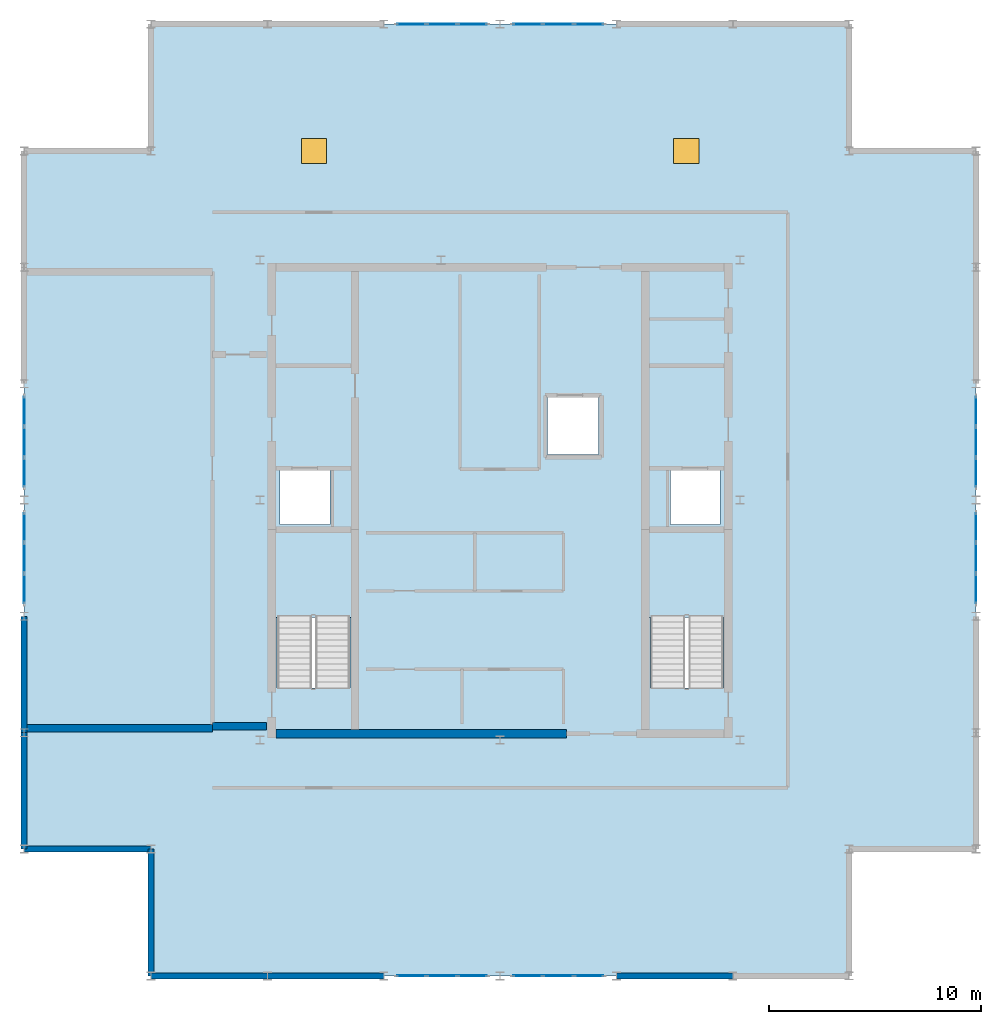
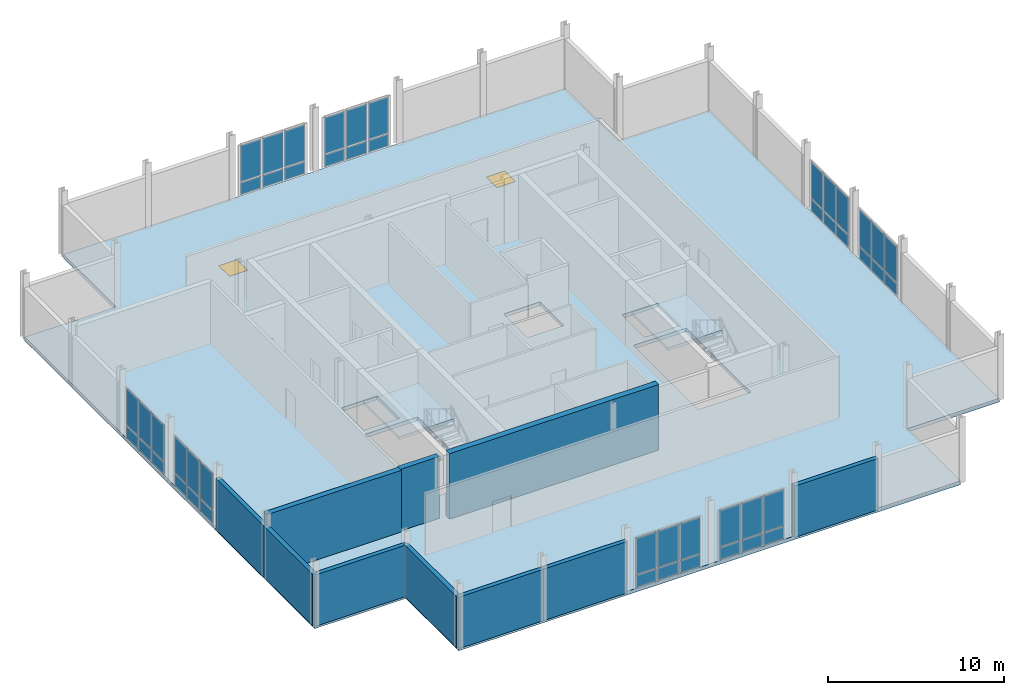
# One storey, part 4 of 7: 48 plates, 10 walls, 3 slabs, 2 windows, 2 openings, 10 elements without a shape of their own.
"""IFC4 building model written with IfcOpenShell, lengths in metres."""

from ifc_helpers import new_model, si_unit, direction, frame, frame_2d, origin, origin_2d, place, context, subcontext, project, spatial, polyline, rectangle, outline, extrude, material, layer, layer_set, type_object, element, fill, aggregate, save


model = new_model("IFC4")

# Units and contexts
model_context = context("Model", 3, precision=1e-05, world=origin(), true_north=direction((0.0, 1.0)))
body_context = subcontext(model_context, "Body", "Model", "MODEL_VIEW")
ifc_project = project(units=[si_unit("LENGTHUNIT", "METRE"), si_unit("AREAUNIT", "SQUARE_METRE"), si_unit("VOLUMEUNIT", "CUBIC_METRE"), si_unit("PLANEANGLEUNIT", "RADIAN"), si_unit("MASSUNIT", "GRAM", prefix="KILO")], contexts=[model_context])

# Site, building, storey
site_placement = place(None, origin())
site = spatial("IfcSite", under=ifc_project, at=site_placement, CompositionType="ELEMENT")
building_placement = place(site_placement, origin())
building = spatial("IfcBuilding", under=site, at=building_placement, Name="Nhamokura Convention Tower", CompositionType="ELEMENT")
storey_placement = place(building_placement, frame((0.0, 0.0, 326.89990234375)))
storey = spatial("IfcBuildingStorey", under=building, at=storey_placement, Name="L80", CompositionType="ELEMENT", Elevation=326.89990234375)

# Curtain wall, plates
ifc_material_1 = material(Name="Anodised bronze aluminium AA6063-T6", Category="aluminium")
ifc_layer_1 = layer(ifc_material_1, 0.2099609375)
ifc_layer_set_1 = layer_set([ifc_layer_1], Name="CWSystem_SlantedCrown")
curtain_wall_type = type_object("IfcCurtainWallType", Name="CWSystem_SlantedCrown", PredefinedType="NOTDEFINED", material=ifc_layer_set_1)
curtain_wall_1_placement = place(storey_placement, origin())
curtain_wall_1 = element("IfcCurtainWall", 1, at=curtain_wall_1_placement, inside=storey, type_object=curtain_wall_type, Name="L80 Curtain Wall ENV-L80-CRCW-S2", PredefinedType="NOTDEFINED")
ifc_material_2 = material(Name="Solar-control bronze low-E double glass", Category="glass")
ifc_layer_2 = layer(ifc_material_2, 0.0400390625)
ifc_layer_set_2 = layer_set([ifc_layer_2], Name="CWGlazedPanel_3")
plate_type = type_object("IfcPlateType", Name="CWGlazedPanel_3", PredefinedType="CURTAIN_PANEL", material=ifc_layer_set_2)
plate_1_placement = place(storey_placement, frame((30.69677734375, 9.5, 0.080078125), z_axis=(0.0, 0.0, 1.0), x_axis=(-1.0, 0.0, 0.0)))
plate_1 = element("IfcPlate", 2, at=plate_1_placement, type_object=plate_type, Name="CW-07 panel 1.1", PredefinedType="CURTAIN_PANEL", context=body_context, shape_type="SweptSolid", body=[
    extrude(rectangle(XDim=1.3466796875, YDim=0.0400390625, at=origin_2d()), origin(), (0.0, 0.0, 1.0), 0.830078125),
])
plate_2_placement = place(storey_placement, frame((30.69677734375, 9.5, 0.989990234375), z_axis=(0.0, 0.0, 1.0), x_axis=(-1.0, 0.0, 0.0)))
plate_2 = element("IfcPlate", 3, at=plate_2_placement, type_object=plate_type, Name="CW-07 panel 1.2", PredefinedType="CURTAIN_PANEL", context=body_context, shape_type="SweptSolid", body=[
    extrude(rectangle(XDim=1.3466796875, YDim=0.0400390625, at=origin_2d()), origin(), (0.0, 0.0, 1.0), 2.5),
])
plate_3_placement = place(storey_placement, frame((29.25, 9.5, 0.080078125), z_axis=(0.0, 0.0, 1.0), x_axis=(-1.0, 0.0, 0.0)))
plate_3 = element("IfcPlate", 4, at=plate_3_placement, type_object=plate_type, Name="CW-07 panel 2.1", PredefinedType="CURTAIN_PANEL", context=body_context, shape_type="SweptSolid", body=[
    extrude(rectangle(XDim=1.38671875, YDim=0.0400390625, at=origin_2d()), origin(), (0.0, 0.0, 1.0), 0.830078125),
])
plate_4_placement = place(storey_placement, frame((29.25, 9.5, 0.989990234375), z_axis=(0.0, 0.0, 1.0), x_axis=(-1.0, 0.0, 0.0)))
plate_4 = element("IfcPlate", 5, at=plate_4_placement, type_object=plate_type, Name="CW-07 panel 2.2", PredefinedType="CURTAIN_PANEL", context=body_context, shape_type="SweptSolid", body=[
    extrude(rectangle(XDim=1.38671875, YDim=0.0400390625, at=origin_2d()), origin(), (0.0, 0.0, 1.0), 2.5),
])
plate_5_placement = place(storey_placement, frame((27.80322265625, 9.5, 0.080078125), z_axis=(0.0, 0.0, 1.0), x_axis=(-1.0, 0.0, 0.0)))
plate_5 = element("IfcPlate", 6, at=plate_5_placement, type_object=plate_type, Name="CW-07 panel 3.1", PredefinedType="CURTAIN_PANEL", context=body_context, shape_type="SweptSolid", body=[
    extrude(rectangle(XDim=1.3466796875, YDim=0.0400390625, at=origin_2d()), origin(), (0.0, 0.0, 1.0), 0.830078125),
])
plate_6_placement = place(storey_placement, frame((27.80322265625, 9.5, 0.989990234375), z_axis=(0.0, 0.0, 1.0), x_axis=(-1.0, 0.0, 0.0)))
plate_6 = element("IfcPlate", 7, at=plate_6_placement, type_object=plate_type, Name="CW-07 panel 3.2", PredefinedType="CURTAIN_PANEL", context=body_context, shape_type="SweptSolid", body=[
    extrude(rectangle(XDim=1.3466796875, YDim=0.0400390625, at=origin_2d()), origin(), (0.0, 0.0, 1.0), 2.5),
])
aggregate(curtain_wall_1, [plate_1, plate_2, plate_3, plate_4, plate_5, plate_6])

curtain_wall_2_placement = place(storey_placement, origin())
curtain_wall_2 = element("IfcCurtainWall", 8, at=curtain_wall_2_placement, inside=storey, type_object=curtain_wall_type, Name="L80 Curtain Wall ENV-L80-CRCW-S3", PredefinedType="NOTDEFINED")
plate_7_placement = place(storey_placement, frame((36.19677734375, 9.5, 0.080078125), z_axis=(0.0, 0.0, 1.0), x_axis=(-1.0, 0.0, 0.0)))
plate_7 = element("IfcPlate", 9, at=plate_7_placement, type_object=plate_type, Name="CW-07 panel 1.1", PredefinedType="CURTAIN_PANEL", context=body_context, shape_type="SweptSolid", body=[
    extrude(rectangle(XDim=1.3466796875, YDim=0.0400390625, at=origin_2d()), origin(), (0.0, 0.0, 1.0), 0.830078125),
])
plate_8_placement = place(storey_placement, frame((36.19677734375, 9.5, 0.989990234375), z_axis=(0.0, 0.0, 1.0), x_axis=(-1.0, 0.0, 0.0)))
plate_8 = element("IfcPlate", 10, at=plate_8_placement, type_object=plate_type, Name="CW-07 panel 1.2", PredefinedType="CURTAIN_PANEL", context=body_context, shape_type="SweptSolid", body=[
    extrude(rectangle(XDim=1.3466796875, YDim=0.0400390625, at=origin_2d()), origin(), (0.0, 0.0, 1.0), 2.5),
])
plate_9_placement = place(storey_placement, frame((34.75, 9.5, 0.080078125), z_axis=(0.0, 0.0, 1.0), x_axis=(-1.0, 0.0, 0.0)))
plate_9 = element("IfcPlate", 11, at=plate_9_placement, type_object=plate_type, Name="CW-07 panel 2.1", PredefinedType="CURTAIN_PANEL", context=body_context, shape_type="SweptSolid", body=[
    extrude(rectangle(XDim=1.38671875, YDim=0.0400390625, at=origin_2d()), origin(), (0.0, 0.0, 1.0), 0.830078125),
])
plate_10_placement = place(storey_placement, frame((34.75, 9.5, 0.989990234375), z_axis=(0.0, 0.0, 1.0), x_axis=(-1.0, 0.0, 0.0)))
plate_10 = element("IfcPlate", 12, at=plate_10_placement, type_object=plate_type, Name="CW-07 panel 2.2", PredefinedType="CURTAIN_PANEL", context=body_context, shape_type="SweptSolid", body=[
    extrude(rectangle(XDim=1.38671875, YDim=0.0400390625, at=origin_2d()), origin(), (0.0, 0.0, 1.0), 2.5),
])
plate_11_placement = place(storey_placement, frame((33.30322265625, 9.5, 0.080078125), z_axis=(0.0, 0.0, 1.0), x_axis=(-1.0, 0.0, 0.0)))
plate_11 = element("IfcPlate", 13, at=plate_11_placement, type_object=plate_type, Name="CW-07 panel 3.1", PredefinedType="CURTAIN_PANEL", context=body_context, shape_type="SweptSolid", body=[
    extrude(rectangle(XDim=1.3466796875, YDim=0.0400390625, at=origin_2d()), origin(), (0.0, 0.0, 1.0), 0.830078125),
])
plate_12_placement = place(storey_placement, frame((33.30322265625, 9.5, 0.989990234375), z_axis=(0.0, 0.0, 1.0), x_axis=(-1.0, 0.0, 0.0)))
plate_12 = element("IfcPlate", 14, at=plate_12_placement, type_object=plate_type, Name="CW-07 panel 3.2", PredefinedType="CURTAIN_PANEL", context=body_context, shape_type="SweptSolid", body=[
    extrude(rectangle(XDim=1.3466796875, YDim=0.0400390625, at=origin_2d()), origin(), (0.0, 0.0, 1.0), 2.5),
])
aggregate(curtain_wall_2, [plate_7, plate_8, plate_9, plate_10, plate_11, plate_12])

curtain_wall_3_placement = place(storey_placement, origin())
curtain_wall_3 = element("IfcCurtainWall", 15, at=curtain_wall_3_placement, inside=storey, type_object=curtain_wall_type, Name="L80 Curtain Wall ENV-L80-CRCW-N2", PredefinedType="NOTDEFINED")
plate_13_placement = place(storey_placement, frame((27.80322265625, 54.5, 0.080078125), z_axis=(0.0, 0.0, 1.0), x_axis=(1.0, 0.0, 0.0)))
plate_13 = element("IfcPlate", 16, at=plate_13_placement, type_object=plate_type, Name="CW-07 panel 1.1", PredefinedType="CURTAIN_PANEL", context=body_context, shape_type="SweptSolid", body=[
    extrude(rectangle(XDim=1.3466796875, YDim=0.0400390625, at=origin_2d()), origin(), (0.0, 0.0, 1.0), 0.830078125),
])
plate_14_placement = place(storey_placement, frame((27.80322265625, 54.5, 0.989990234375), z_axis=(0.0, 0.0, 1.0), x_axis=(1.0, 0.0, 0.0)))
plate_14 = element("IfcPlate", 17, at=plate_14_placement, type_object=plate_type, Name="CW-07 panel 1.2", PredefinedType="CURTAIN_PANEL", context=body_context, shape_type="SweptSolid", body=[
    extrude(rectangle(XDim=1.3466796875, YDim=0.0400390625, at=origin_2d()), origin(), (0.0, 0.0, 1.0), 2.5),
])
plate_15_placement = place(storey_placement, frame((29.25, 54.5, 0.080078125), z_axis=(0.0, 0.0, 1.0), x_axis=(1.0, 0.0, 0.0)))
plate_15 = element("IfcPlate", 18, at=plate_15_placement, type_object=plate_type, Name="CW-07 panel 2.1", PredefinedType="CURTAIN_PANEL", context=body_context, shape_type="SweptSolid", body=[
    extrude(rectangle(XDim=1.38671875, YDim=0.0400390625, at=origin_2d()), origin(), (0.0, 0.0, 1.0), 0.830078125),
])
plate_16_placement = place(storey_placement, frame((29.25, 54.5, 0.989990234375), z_axis=(0.0, 0.0, 1.0), x_axis=(1.0, 0.0, 0.0)))
plate_16 = element("IfcPlate", 19, at=plate_16_placement, type_object=plate_type, Name="CW-07 panel 2.2", PredefinedType="CURTAIN_PANEL", context=body_context, shape_type="SweptSolid", body=[
    extrude(rectangle(XDim=1.38671875, YDim=0.0400390625, at=origin_2d()), origin(), (0.0, 0.0, 1.0), 2.5),
])
plate_17_placement = place(storey_placement, frame((30.69677734375, 54.5, 0.080078125), z_axis=(0.0, 0.0, 1.0), x_axis=(1.0, 0.0, 0.0)))
plate_17 = element("IfcPlate", 20, at=plate_17_placement, type_object=plate_type, Name="CW-07 panel 3.1", PredefinedType="CURTAIN_PANEL", context=body_context, shape_type="SweptSolid", body=[
    extrude(rectangle(XDim=1.3466796875, YDim=0.0400390625, at=origin_2d()), origin(), (0.0, 0.0, 1.0), 0.830078125),
])
plate_18_placement = place(storey_placement, frame((30.69677734375, 54.5, 0.989990234375), z_axis=(0.0, 0.0, 1.0), x_axis=(1.0, 0.0, 0.0)))
plate_18 = element("IfcPlate", 21, at=plate_18_placement, type_object=plate_type, Name="CW-07 panel 3.2", PredefinedType="CURTAIN_PANEL", context=body_context, shape_type="SweptSolid", body=[
    extrude(rectangle(XDim=1.3466796875, YDim=0.0400390625, at=origin_2d()), origin(), (0.0, 0.0, 1.0), 2.5),
])
aggregate(curtain_wall_3, [plate_13, plate_14, plate_15, plate_16, plate_17, plate_18])

curtain_wall_4_placement = place(storey_placement, origin())
curtain_wall_4 = element("IfcCurtainWall", 22, at=curtain_wall_4_placement, inside=storey, type_object=curtain_wall_type, Name="L80 Curtain Wall ENV-L80-CRCW-N3", PredefinedType="NOTDEFINED")
plate_19_placement = place(storey_placement, frame((33.30322265625, 54.5, 0.080078125), z_axis=(0.0, 0.0, 1.0), x_axis=(1.0, 0.0, 0.0)))
plate_19 = element("IfcPlate", 23, at=plate_19_placement, type_object=plate_type, Name="CW-07 panel 1.1", PredefinedType="CURTAIN_PANEL", context=body_context, shape_type="SweptSolid", body=[
    extrude(rectangle(XDim=1.3466796875, YDim=0.0400390625, at=origin_2d()), origin(), (0.0, 0.0, 1.0), 0.830078125),
])
plate_20_placement = place(storey_placement, frame((33.30322265625, 54.5, 0.989990234375), z_axis=(0.0, 0.0, 1.0), x_axis=(1.0, 0.0, 0.0)))
plate_20 = element("IfcPlate", 24, at=plate_20_placement, type_object=plate_type, Name="CW-07 panel 1.2", PredefinedType="CURTAIN_PANEL", context=body_context, shape_type="SweptSolid", body=[
    extrude(rectangle(XDim=1.3466796875, YDim=0.0400390625, at=origin_2d()), origin(), (0.0, 0.0, 1.0), 2.5),
])
plate_21_placement = place(storey_placement, frame((34.75, 54.5, 0.080078125), z_axis=(0.0, 0.0, 1.0), x_axis=(1.0, 0.0, 0.0)))
plate_21 = element("IfcPlate", 25, at=plate_21_placement, type_object=plate_type, Name="CW-07 panel 2.1", PredefinedType="CURTAIN_PANEL", context=body_context, shape_type="SweptSolid", body=[
    extrude(rectangle(XDim=1.38671875, YDim=0.0400390625, at=origin_2d()), origin(), (0.0, 0.0, 1.0), 0.830078125),
])
plate_22_placement = place(storey_placement, frame((34.75, 54.5, 0.989990234375), z_axis=(0.0, 0.0, 1.0), x_axis=(1.0, 0.0, 0.0)))
plate_22 = element("IfcPlate", 26, at=plate_22_placement, type_object=plate_type, Name="CW-07 panel 2.2", PredefinedType="CURTAIN_PANEL", context=body_context, shape_type="SweptSolid", body=[
    extrude(rectangle(XDim=1.38671875, YDim=0.0400390625, at=origin_2d()), origin(), (0.0, 0.0, 1.0), 2.5),
])
plate_23_placement = place(storey_placement, frame((36.19677734375, 54.5, 0.080078125), z_axis=(0.0, 0.0, 1.0), x_axis=(1.0, 0.0, 0.0)))
plate_23 = element("IfcPlate", 27, at=plate_23_placement, type_object=plate_type, Name="CW-07 panel 3.1", PredefinedType="CURTAIN_PANEL", context=body_context, shape_type="SweptSolid", body=[
    extrude(rectangle(XDim=1.3466796875, YDim=0.0400390625, at=origin_2d()), origin(), (0.0, 0.0, 1.0), 0.830078125),
])
plate_24_placement = place(storey_placement, frame((36.19677734375, 54.5, 0.989990234375), z_axis=(0.0, 0.0, 1.0), x_axis=(1.0, 0.0, 0.0)))
plate_24 = element("IfcPlate", 28, at=plate_24_placement, type_object=plate_type, Name="CW-07 panel 3.2", PredefinedType="CURTAIN_PANEL", context=body_context, shape_type="SweptSolid", body=[
    extrude(rectangle(XDim=1.3466796875, YDim=0.0400390625, at=origin_2d()), origin(), (0.0, 0.0, 1.0), 2.5),
])
aggregate(curtain_wall_4, [plate_19, plate_20, plate_21, plate_22, plate_23, plate_24])

curtain_wall_5_placement = place(storey_placement, origin())
curtain_wall_5 = element("IfcCurtainWall", 29, at=curtain_wall_5_placement, inside=storey, type_object=curtain_wall_type, Name="L80 Curtain Wall ENV-L80-CRCW-W2", PredefinedType="NOTDEFINED")
plate_25_placement = place(storey_placement, frame((9.5, 27.80322265625, 0.080078125), z_axis=(0.0, 0.0, 1.0), x_axis=(0.0, 1.0, 0.0)))
plate_25 = element("IfcPlate", 30, at=plate_25_placement, type_object=plate_type, Name="CW-07 panel 1.1", PredefinedType="CURTAIN_PANEL", context=body_context, shape_type="SweptSolid", body=[
    extrude(rectangle(XDim=1.3466796875, YDim=0.0400390625, at=origin_2d()), origin(), (0.0, 0.0, 1.0), 0.830078125),
])
plate_26_placement = place(storey_placement, frame((9.5, 27.80322265625, 0.989990234375), z_axis=(0.0, 0.0, 1.0), x_axis=(0.0, 1.0, 0.0)))
plate_26 = element("IfcPlate", 31, at=plate_26_placement, type_object=plate_type, Name="CW-07 panel 1.2", PredefinedType="CURTAIN_PANEL", context=body_context, shape_type="SweptSolid", body=[
    extrude(rectangle(XDim=1.3466796875, YDim=0.0400390625, at=origin_2d()), origin(), (0.0, 0.0, 1.0), 2.5),
])
plate_27_placement = place(storey_placement, frame((9.5, 29.25, 0.080078125), z_axis=(0.0, 0.0, 1.0), x_axis=(0.0, 1.0, 0.0)))
plate_27 = element("IfcPlate", 32, at=plate_27_placement, type_object=plate_type, Name="CW-07 panel 2.1", PredefinedType="CURTAIN_PANEL", context=body_context, shape_type="SweptSolid", body=[
    extrude(rectangle(XDim=1.38671875, YDim=0.0400390625, at=origin_2d()), origin(), (0.0, 0.0, 1.0), 0.830078125),
])
plate_28_placement = place(storey_placement, frame((9.5, 29.25, 0.989990234375), z_axis=(0.0, 0.0, 1.0), x_axis=(0.0, 1.0, 0.0)))
plate_28 = element("IfcPlate", 33, at=plate_28_placement, type_object=plate_type, Name="CW-07 panel 2.2", PredefinedType="CURTAIN_PANEL", context=body_context, shape_type="SweptSolid", body=[
    extrude(rectangle(XDim=1.38671875, YDim=0.0400390625, at=origin_2d()), origin(), (0.0, 0.0, 1.0), 2.5),
])
plate_29_placement = place(storey_placement, frame((9.5, 30.69677734375, 0.080078125), z_axis=(0.0, 0.0, 1.0), x_axis=(0.0, 1.0, 0.0)))
plate_29 = element("IfcPlate", 34, at=plate_29_placement, type_object=plate_type, Name="CW-07 panel 3.1", PredefinedType="CURTAIN_PANEL", context=body_context, shape_type="SweptSolid", body=[
    extrude(rectangle(XDim=1.3466796875, YDim=0.0400390625, at=origin_2d()), origin(), (0.0, 0.0, 1.0), 0.830078125),
])
plate_30_placement = place(storey_placement, frame((9.5, 30.69677734375, 0.989990234375), z_axis=(0.0, 0.0, 1.0), x_axis=(0.0, 1.0, 0.0)))
plate_30 = element("IfcPlate", 35, at=plate_30_placement, type_object=plate_type, Name="CW-07 panel 3.2", PredefinedType="CURTAIN_PANEL", context=body_context, shape_type="SweptSolid", body=[
    extrude(rectangle(XDim=1.3466796875, YDim=0.0400390625, at=origin_2d()), origin(), (0.0, 0.0, 1.0), 2.5),
])
aggregate(curtain_wall_5, [plate_25, plate_26, plate_27, plate_28, plate_29, plate_30])

curtain_wall_6_placement = place(storey_placement, origin())
curtain_wall_6 = element("IfcCurtainWall", 36, at=curtain_wall_6_placement, inside=storey, type_object=curtain_wall_type, Name="L80 Curtain Wall ENV-L80-CRCW-W3", PredefinedType="NOTDEFINED")
plate_31_placement = place(storey_placement, frame((9.5, 33.30322265625, 0.080078125), z_axis=(0.0, 0.0, 1.0), x_axis=(0.0, 1.0, 0.0)))
plate_31 = element("IfcPlate", 37, at=plate_31_placement, type_object=plate_type, Name="CW-07 panel 1.1", PredefinedType="CURTAIN_PANEL", context=body_context, shape_type="SweptSolid", body=[
    extrude(rectangle(XDim=1.3466796875, YDim=0.0400390625, at=origin_2d()), origin(), (0.0, 0.0, 1.0), 0.830078125),
])
plate_32_placement = place(storey_placement, frame((9.5, 33.30322265625, 0.989990234375), z_axis=(0.0, 0.0, 1.0), x_axis=(0.0, 1.0, 0.0)))
plate_32 = element("IfcPlate", 38, at=plate_32_placement, type_object=plate_type, Name="CW-07 panel 1.2", PredefinedType="CURTAIN_PANEL", context=body_context, shape_type="SweptSolid", body=[
    extrude(rectangle(XDim=1.3466796875, YDim=0.0400390625, at=origin_2d()), origin(), (0.0, 0.0, 1.0), 2.5),
])
plate_33_placement = place(storey_placement, frame((9.5, 34.75, 0.080078125), z_axis=(0.0, 0.0, 1.0), x_axis=(0.0, 1.0, 0.0)))
plate_33 = element("IfcPlate", 39, at=plate_33_placement, type_object=plate_type, Name="CW-07 panel 2.1", PredefinedType="CURTAIN_PANEL", context=body_context, shape_type="SweptSolid", body=[
    extrude(rectangle(XDim=1.38671875, YDim=0.0400390625, at=origin_2d()), origin(), (0.0, 0.0, 1.0), 0.830078125),
])
plate_34_placement = place(storey_placement, frame((9.5, 34.75, 0.989990234375), z_axis=(0.0, 0.0, 1.0), x_axis=(0.0, 1.0, 0.0)))
plate_34 = element("IfcPlate", 40, at=plate_34_placement, type_object=plate_type, Name="CW-07 panel 2.2", PredefinedType="CURTAIN_PANEL", context=body_context, shape_type="SweptSolid", body=[
    extrude(rectangle(XDim=1.38671875, YDim=0.0400390625, at=origin_2d()), origin(), (0.0, 0.0, 1.0), 2.5),
])
plate_35_placement = place(storey_placement, frame((9.5, 36.19677734375, 0.080078125), z_axis=(0.0, 0.0, 1.0), x_axis=(0.0, 1.0, 0.0)))
plate_35 = element("IfcPlate", 41, at=plate_35_placement, type_object=plate_type, Name="CW-07 panel 3.1", PredefinedType="CURTAIN_PANEL", context=body_context, shape_type="SweptSolid", body=[
    extrude(rectangle(XDim=1.3466796875, YDim=0.0400390625, at=origin_2d()), origin(), (0.0, 0.0, 1.0), 0.830078125),
])
plate_36_placement = place(storey_placement, frame((9.5, 36.19677734375, 0.989990234375), z_axis=(0.0, 0.0, 1.0), x_axis=(0.0, 1.0, 0.0)))
plate_36 = element("IfcPlate", 42, at=plate_36_placement, type_object=plate_type, Name="CW-07 panel 3.2", PredefinedType="CURTAIN_PANEL", context=body_context, shape_type="SweptSolid", body=[
    extrude(rectangle(XDim=1.3466796875, YDim=0.0400390625, at=origin_2d()), origin(), (0.0, 0.0, 1.0), 2.5),
])
aggregate(curtain_wall_6, [plate_31, plate_32, plate_33, plate_34, plate_35, plate_36])

curtain_wall_7_placement = place(storey_placement, origin())
curtain_wall_7 = element("IfcCurtainWall", 43, at=curtain_wall_7_placement, inside=storey, type_object=curtain_wall_type, Name="L80 Curtain Wall ENV-L80-CRCW-E2", PredefinedType="NOTDEFINED")
plate_37_placement = place(storey_placement, frame((54.5, 30.69677734375, 0.080078125), z_axis=(0.0, 0.0, 1.0), x_axis=(0.0, -1.0, 0.0)))
plate_37 = element("IfcPlate", 44, at=plate_37_placement, type_object=plate_type, Name="CW-07 panel 1.1", PredefinedType="CURTAIN_PANEL", context=body_context, shape_type="SweptSolid", body=[
    extrude(rectangle(XDim=1.3466796875, YDim=0.0400390625, at=origin_2d()), origin(), (0.0, 0.0, 1.0), 0.830078125),
])
plate_38_placement = place(storey_placement, frame((54.5, 30.69677734375, 0.989990234375), z_axis=(0.0, 0.0, 1.0), x_axis=(0.0, -1.0, 0.0)))
plate_38 = element("IfcPlate", 45, at=plate_38_placement, type_object=plate_type, Name="CW-07 panel 1.2", PredefinedType="CURTAIN_PANEL", context=body_context, shape_type="SweptSolid", body=[
    extrude(rectangle(XDim=1.3466796875, YDim=0.0400390625, at=origin_2d()), origin(), (0.0, 0.0, 1.0), 2.5),
])
plate_39_placement = place(storey_placement, frame((54.5, 29.25, 0.080078125), z_axis=(0.0, 0.0, 1.0), x_axis=(0.0, -1.0, 0.0)))
plate_39 = element("IfcPlate", 46, at=plate_39_placement, type_object=plate_type, Name="CW-07 panel 2.1", PredefinedType="CURTAIN_PANEL", context=body_context, shape_type="SweptSolid", body=[
    extrude(rectangle(XDim=1.38671875, YDim=0.0400390625, at=origin_2d()), origin(), (0.0, 0.0, 1.0), 0.830078125),
])
plate_40_placement = place(storey_placement, frame((54.5, 29.25, 0.989990234375), z_axis=(0.0, 0.0, 1.0), x_axis=(0.0, -1.0, 0.0)))
plate_40 = element("IfcPlate", 47, at=plate_40_placement, type_object=plate_type, Name="CW-07 panel 2.2", PredefinedType="CURTAIN_PANEL", context=body_context, shape_type="SweptSolid", body=[
    extrude(rectangle(XDim=1.38671875, YDim=0.0400390625, at=origin_2d()), origin(), (0.0, 0.0, 1.0), 2.5),
])
plate_41_placement = place(storey_placement, frame((54.5, 27.80322265625, 0.080078125), z_axis=(0.0, 0.0, 1.0), x_axis=(0.0, -1.0, 0.0)))
plate_41 = element("IfcPlate", 48, at=plate_41_placement, type_object=plate_type, Name="CW-07 panel 3.1", PredefinedType="CURTAIN_PANEL", context=body_context, shape_type="SweptSolid", body=[
    extrude(rectangle(XDim=1.3466796875, YDim=0.0400390625, at=origin_2d()), origin(), (0.0, 0.0, 1.0), 0.830078125),
])
plate_42_placement = place(storey_placement, frame((54.5, 27.80322265625, 0.989990234375), z_axis=(0.0, 0.0, 1.0), x_axis=(0.0, -1.0, 0.0)))
plate_42 = element("IfcPlate", 49, at=plate_42_placement, type_object=plate_type, Name="CW-07 panel 3.2", PredefinedType="CURTAIN_PANEL", context=body_context, shape_type="SweptSolid", body=[
    extrude(rectangle(XDim=1.3466796875, YDim=0.0400390625, at=origin_2d()), origin(), (0.0, 0.0, 1.0), 2.5),
])
aggregate(curtain_wall_7, [plate_37, plate_38, plate_39, plate_40, plate_41, plate_42])

curtain_wall_8_placement = place(storey_placement, origin())
curtain_wall_8 = element("IfcCurtainWall", 50, at=curtain_wall_8_placement, inside=storey, type_object=curtain_wall_type, Name="L80 Curtain Wall ENV-L80-CRCW-E3", PredefinedType="NOTDEFINED")
plate_43_placement = place(storey_placement, frame((54.5, 36.19677734375, 0.080078125), z_axis=(0.0, 0.0, 1.0), x_axis=(0.0, -1.0, 0.0)))
plate_43 = element("IfcPlate", 51, at=plate_43_placement, type_object=plate_type, Name="CW-07 panel 1.1", PredefinedType="CURTAIN_PANEL", context=body_context, shape_type="SweptSolid", body=[
    extrude(rectangle(XDim=1.3466796875, YDim=0.0400390625, at=origin_2d()), origin(), (0.0, 0.0, 1.0), 0.830078125),
])
plate_44_placement = place(storey_placement, frame((54.5, 36.19677734375, 0.989990234375), z_axis=(0.0, 0.0, 1.0), x_axis=(0.0, -1.0, 0.0)))
plate_44 = element("IfcPlate", 52, at=plate_44_placement, type_object=plate_type, Name="CW-07 panel 1.2", PredefinedType="CURTAIN_PANEL", context=body_context, shape_type="SweptSolid", body=[
    extrude(rectangle(XDim=1.3466796875, YDim=0.0400390625, at=origin_2d()), origin(), (0.0, 0.0, 1.0), 2.5),
])
plate_45_placement = place(storey_placement, frame((54.5, 34.75, 0.080078125), z_axis=(0.0, 0.0, 1.0), x_axis=(0.0, -1.0, 0.0)))
plate_45 = element("IfcPlate", 53, at=plate_45_placement, type_object=plate_type, Name="CW-07 panel 2.1", PredefinedType="CURTAIN_PANEL", context=body_context, shape_type="SweptSolid", body=[
    extrude(rectangle(XDim=1.38671875, YDim=0.0400390625, at=origin_2d()), origin(), (0.0, 0.0, 1.0), 0.830078125),
])
plate_46_placement = place(storey_placement, frame((54.5, 34.75, 0.989990234375), z_axis=(0.0, 0.0, 1.0), x_axis=(0.0, -1.0, 0.0)))
plate_46 = element("IfcPlate", 54, at=plate_46_placement, type_object=plate_type, Name="CW-07 panel 2.2", PredefinedType="CURTAIN_PANEL", context=body_context, shape_type="SweptSolid", body=[
    extrude(rectangle(XDim=1.38671875, YDim=0.0400390625, at=origin_2d()), origin(), (0.0, 0.0, 1.0), 2.5),
])
plate_47_placement = place(storey_placement, frame((54.5, 33.30322265625, 0.080078125), z_axis=(0.0, 0.0, 1.0), x_axis=(0.0, -1.0, 0.0)))
plate_47 = element("IfcPlate", 55, at=plate_47_placement, type_object=plate_type, Name="CW-07 panel 3.1", PredefinedType="CURTAIN_PANEL", context=body_context, shape_type="SweptSolid", body=[
    extrude(rectangle(XDim=1.3466796875, YDim=0.0400390625, at=origin_2d()), origin(), (0.0, 0.0, 1.0), 0.830078125),
])
plate_48_placement = place(storey_placement, frame((54.5, 33.30322265625, 0.989990234375), z_axis=(0.0, 0.0, 1.0), x_axis=(0.0, -1.0, 0.0)))
plate_48 = element("IfcPlate", 56, at=plate_48_placement, type_object=plate_type, Name="CW-07 panel 3.2", PredefinedType="CURTAIN_PANEL", context=body_context, shape_type="SweptSolid", body=[
    extrude(rectangle(XDim=1.3466796875, YDim=0.0400390625, at=origin_2d()), origin(), (0.0, 0.0, 1.0), 2.5),
])
aggregate(curtain_wall_8, [plate_43, plate_44, plate_45, plate_46, plate_47, plate_48])

# Slab, openings, windows
ifc_material_3 = material(Name="Concrete C40/50", Category="concrete")
ifc_layer_3 = layer(ifc_material_3, 0.260009765625)
ifc_layer_set_3 = layer_set([ifc_layer_3], Name="RefugePlantSlab_260")
slab_type_1 = type_object("IfcSlabType", Name="RefugePlantSlab_260", PredefinedType="FLOOR", material=ifc_layer_set_3)
slab_1_placement = place(storey_placement, frame((0.0, 0.0, -0.260009765625)))
slab_1 = element("IfcSlab", 57, at=slab_1_placement, inside=storey, type_object=slab_type_1, Name="L80 Structural Floor Slab", PredefinedType="FLOOR", context=body_context, shape_type="SweptSolid", body=[
    extrude(outline(polyline([(15.5, 9.5), (48.5, 9.5), (48.5, 15.5), (54.5, 15.5), (54.5, 48.5), (48.5, 48.5), (48.5, 54.5), (15.5, 54.5), (15.5, 48.5), (9.5, 48.5), (9.5, 15.5), (15.5, 15.5), (15.5, 9.5)]), holes=[polyline([(24.89990234375, 23.10009765625), (24.89990234375, 30.449951171875), (21.449951171875, 30.449951171875), (21.449951171875, 23.10009765625), (24.89990234375, 23.10009765625)]), polyline([(42.550048828125, 23.10009765625), (42.550048828125, 30.449951171875), (39.10009765625, 30.449951171875), (39.10009765625, 23.10009765625), (42.550048828125, 23.10009765625)]), polyline([(21.60009765625, 30.85009765625), (23.949951171875, 30.85009765625), (23.949951171875, 33.39990234375), (21.60009765625, 33.39990234375), (21.60009765625, 30.85009765625)]), polyline([(40.050048828125, 30.85009765625), (42.39990234375, 30.85009765625), (42.39990234375, 33.39990234375), (40.050048828125, 33.39990234375), (40.050048828125, 30.85009765625)]), polyline([(34.25, 34.14990234375), (36.64990234375, 34.14990234375), (36.64990234375, 36.85009765625), (34.25, 36.85009765625), (34.25, 34.14990234375)])]), origin(), (0.0, 0.0, 1.0), 0.260009765625),
])
opening_1_placement = place(slab_1_placement, frame((23.199951171875, 48.5, 0.0)))
opening_1 = element("IfcOpeningElement", 58, at=opening_1_placement, cuts=slab_1, Name="Opening RH-01", PredefinedType="OPENING", context=body_context, shape_type="SweptSolid", body=[
    extrude(rectangle(XDim=1.199951171875, YDim=1.199951171875, at=origin_2d()), origin(), (0.0, 0.0, 1.0), 0.260009765625),
])
opening_2_placement = place(slab_1_placement, frame((40.800048828125, 48.5, 0.0)))
opening_2 = element("IfcOpeningElement", 59, at=opening_2_placement, cuts=slab_1, Name="Opening RH-01", PredefinedType="OPENING", context=body_context, shape_type="SweptSolid", body=[
    extrude(rectangle(XDim=1.199951171875, YDim=1.199951171875, at=origin_2d()), origin(), (0.0, 0.0, 1.0), 0.260009765625),
])
ifc_material_4 = material(Name="Double-glazed laminated safety glass in thermally broken bronze aluminium kerb frame", Category="aluminium")
window_type = type_object("IfcWindowType", Name="CrownMaintenanceHatch_1200", PartitioningType="SINGLE_PANEL", PredefinedType="SKYLIGHT", material=ifc_material_4)
window_1_placement = place(opening_1_placement, frame((0.0, 0.0, 0.2099609375)))
window_1 = element("IfcWindow", 60, at=window_1_placement, inside=storey, type_object=window_type, Name="L80 Crown Maintenance Access Hatch 01", OverallHeight=1.199951171875, OverallWidth=1.199951171875, PartitioningType="SINGLE_PANEL", PredefinedType="SKYLIGHT", context=body_context, shape_type="SweptSolid", body=[
    extrude(rectangle(XDim=1.199951171875, YDim=1.199951171875, at=origin_2d()), origin(), (0.0, 0.0, 1.0), 0.050048828125),
])
fill(opening_1, window_1)
window_2_placement = place(opening_2_placement, frame((0.0, 0.0, 0.2099609375)))
window_2 = element("IfcWindow", 61, at=window_2_placement, inside=storey, type_object=window_type, Name="L80 Crown Maintenance Access Hatch 02", OverallHeight=1.199951171875, OverallWidth=1.199951171875, PartitioningType="SINGLE_PANEL", PredefinedType="SKYLIGHT", context=body_context, shape_type="SweptSolid", body=[
    extrude(rectangle(XDim=1.199951171875, YDim=1.199951171875, at=origin_2d()), origin(), (0.0, 0.0, 1.0), 0.050048828125),
])
fill(opening_2, window_2)

# Stair, slab
ifc_material_5 = material(Name="Concrete C40/50", Category="concrete")
stair_type = type_object("IfcStairType", Name="TowerCoreStair_1650", PredefinedType="HALF_TURN_STAIR", material=ifc_material_5)
stair_1_placement = place(storey_placement, origin())
stair_1 = element("IfcStair", 62, at=stair_1_placement, inside=storey, type_object=stair_type, Name="L80 West Core Smokeproof Stair ST-01", PredefinedType="HALF_TURN_STAIR")
ifc_material_6 = material(Name="Concrete C40/50", Category="concrete")
ifc_layer_4 = layer(ifc_material_6, 0.199951171875)
ifc_layer_set_4 = layer_set([ifc_layer_4], Name="StairLandingSlab_200")
slab_type_2 = type_object("IfcSlabType", Name="StairLandingSlab_200", PredefinedType="LANDING", material=ifc_layer_set_4)
slab_2_placement = place(storey_placement, frame((0.0, 0.0, 2.0751953125)))
slab_2 = element("IfcSlab", 63, at=slab_2_placement, type_object=slab_type_2, Name="ST-01 landing 1", PredefinedType="LANDING", context=body_context, shape_type="SweptSolid", body=[
    extrude(outline(polyline([(24.97998046875, 26.43994140625), (24.97998046875, 30.530029296875), (21.3701171875, 30.530029296875), (21.3701171875, 26.43994140625), (24.97998046875, 26.43994140625)])), origin(), (0.0, 0.0, 1.0), 0.199951171875),
])
aggregate(stair_1, [slab_2])

stair_2_placement = place(storey_placement, origin())
stair_2 = element("IfcStair", 64, at=stair_2_placement, inside=storey, type_object=stair_type, Name="L80 East Core Smokeproof Stair ST-02", PredefinedType="HALF_TURN_STAIR")
slab_3_placement = place(storey_placement, frame((0.0, 0.0, 2.0751953125)))
slab_3 = element("IfcSlab", 65, at=slab_3_placement, type_object=slab_type_2, Name="ST-02 landing 1", PredefinedType="LANDING", context=body_context, shape_type="SweptSolid", body=[
    extrude(outline(polyline([(42.6298828125, 26.43994140625), (42.6298828125, 30.530029296875), (39.02001953125, 30.530029296875), (39.02001953125, 26.43994140625), (42.6298828125, 26.43994140625)])), origin(), (0.0, 0.0, 1.0), 0.199951171875),
])
aggregate(stair_2, [slab_3])

# Walls
ifc_material_7 = material(Name="Bronze-pigmented precast concrete C45/55", Category="concrete")
ifc_layer_5 = layer(ifc_material_7, 0.280029296875)
ifc_layer_set_5 = layer_set([ifc_layer_5], Name="BronzePrecastSpandrel_280")
wall_type_1 = type_object("IfcWallType", Name="BronzePrecastSpandrel_280", PredefinedType="USERDEFINED", material=ifc_layer_set_5)
for number, where, z_axis, x_axis, name in (
    (66, (21.0, 9.5, 0.0), (0.0, 0.0, 1.0), (-1.0, 0.0, 0.0), "L80 Crown Wall SOUTH 0"),
    (67, (26.5, 9.5, 0.0), (0.0, 0.0, 1.0), (-1.0, 0.0, 0.0), "L80 Crown Wall SOUTH 1"),
    (68, (43.0, 9.5, 0.0), (0.0, 0.0, 1.0), (-1.0, 0.0, 0.0), "L80 Crown Wall SOUTH 4"),
    (69, (9.5, 15.5, 0.0), (0.0, 0.0, 1.0), (0.0, 1.0, 0.0), "L80 Crown Wall WEST 0"),
    (70, (9.5, 21.0, 0.0), (0.0, 0.0, 1.0), (0.0, 1.0, 0.0), "L80 Crown Wall WEST 1"),
):
    element("IfcWall", number, at=place(storey_placement, frame(where, z_axis=z_axis, x_axis=x_axis)), inside=storey, type_object=wall_type_1, Name=name, ObjectType="SPANDREL_WALL", PredefinedType="USERDEFINED", context=body_context, shape_type="SweptSolid", body=[
        extrude(rectangle(XDim=5.5, YDim=0.280029296875, at=frame_2d((2.75, 0.0))), origin(), (0.0, 0.0, 1.0), 3.570068359375),
    ])
for number, where, z_axis, x_axis, name in (
    (71, (15.5, 9.5, 0.0), (0.0, 0.0, 1.0), (0.0, 1.0, 0.0), "L80 Crown Notch Wall SW1"),
    (72, (15.5, 15.5, 0.0), (0.0, 0.0, 1.0), (-1.0, 0.0, 0.0), "L80 Crown Notch Wall SW2"),
):
    element("IfcWall", number, at=place(storey_placement, frame(where, z_axis=z_axis, x_axis=x_axis)), inside=storey, type_object=wall_type_1, Name=name, ObjectType="SPANDREL_WALL", PredefinedType="USERDEFINED", context=body_context, shape_type="SweptSolid", body=[
        extrude(rectangle(XDim=6.0, YDim=0.280029296875, at=frame_2d((3.0, 0.0))), origin(), (0.0, 0.0, 1.0), 3.570068359375),
    ])
ifc_material_8 = material(Name="Concrete C50/60", Category="concrete")
ifc_layer_6 = layer(ifc_material_8, 0.39990234375)
ifc_layer_set_6 = layer_set([ifc_layer_6], Name="CoreShearWall_400")
wall_type_2 = type_object("IfcWallType", Name="CoreShearWall_400", PredefinedType="SHEAR", material=ifc_layer_set_6)
wall_1_placement = place(storey_placement, frame((21.409912109375, 20.949951171875, 0.0), z_axis=(0.0, 0.0, 1.0), x_axis=(1.0, 0.0, 0.0)))
element("IfcWall", 73, at=wall_1_placement, inside=storey, type_object=wall_type_2, Name="L80 Core Shear Wall CW-S1", PredefinedType="SHEAR", context=body_context, shape_type="SweptSolid", body=[
    extrude(rectangle(XDim=13.739990234375, YDim=0.39990234375, at=frame_2d((6.8701171875, 0.0))), origin(), (0.0, 0.0, 1.0), 4.550048828125),
])
ifc_material_9 = material(Name="Concrete C50/60", Category="concrete")
ifc_layer_7 = layer(ifc_material_9, 0.35009765625)
ifc_layer_set_7 = layer_set([ifc_layer_7], Name="FirewallPlant_350")
wall_type_3 = type_object("IfcWallType", Name="FirewallPlant_350", PredefinedType="STANDARD", material=ifc_layer_set_7)
wall_2_placement = place(storey_placement, frame((18.39990234375, 21.300048828125, 0.0), z_axis=(0.0, 0.0, 1.0), x_axis=(1.0, 0.0, 0.0)))
element("IfcWall", 74, at=wall_2_placement, inside=storey, type_object=wall_type_3, Name="L80 Wall INT-L80-RLOB-S", PredefinedType="STANDARD", context=body_context, shape_type="SweptSolid", body=[
    extrude(rectangle(XDim=2.550048828125, YDim=0.35009765625, at=frame_2d((1.27490234375, 0.0))), origin(), (0.0, 0.0, 1.0), 4.2900390625),
])
wall_3_placement = place(storey_placement, frame((9.56005859375, 21.199951171875, 0.0), z_axis=(0.0, 0.0, 1.0), x_axis=(1.0, 0.0, 0.0)))
element("IfcWall", 75, at=wall_3_placement, inside=storey, type_object=wall_type_3, Name="L80 Wall INT-L80-RWB-W", PredefinedType="STANDARD", context=body_context, shape_type="SweptSolid", body=[
    extrude(rectangle(XDim=8.83984375, YDim=0.35009765625, at=frame_2d((4.419921875, 0.0))), origin(), (0.0, 0.0, 1.0), 4.2900390625),
])

save(model, "model.ifc")
